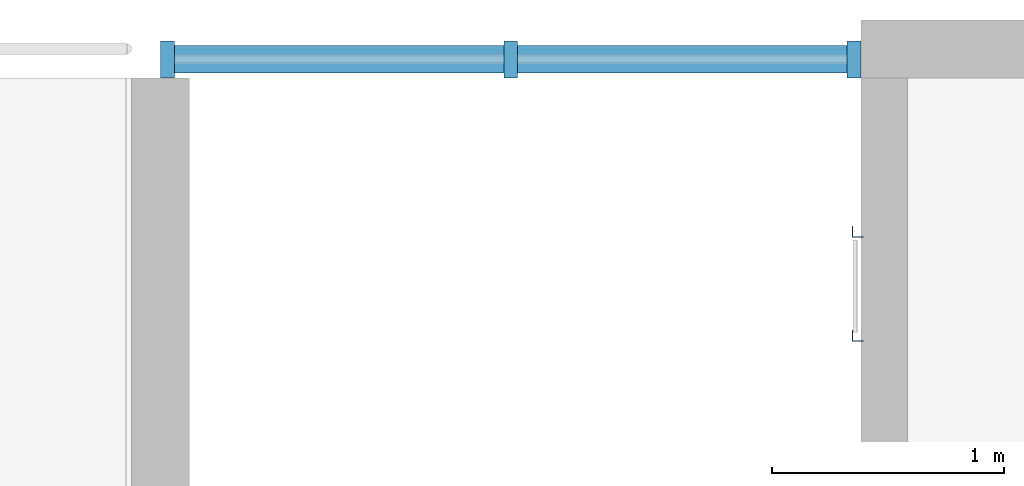
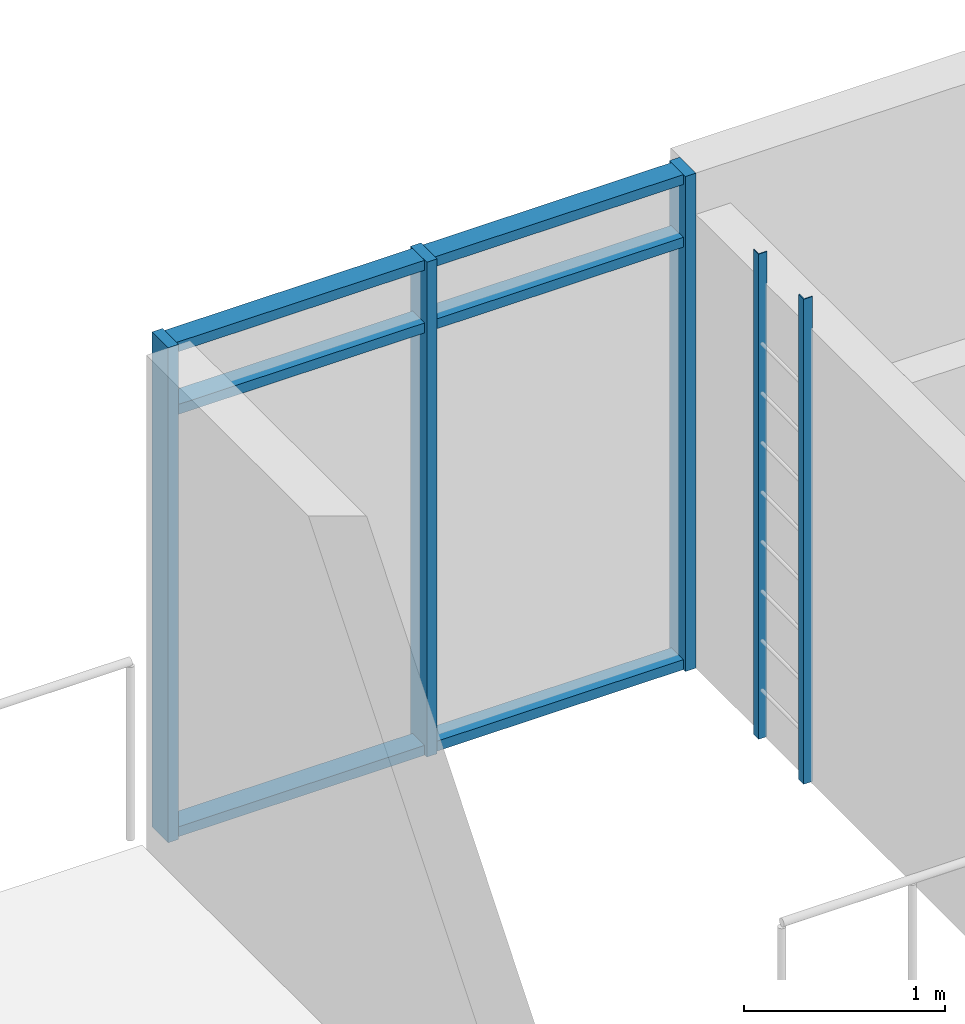
# One storey, part 18 of 55: 11 members, 1 element without a shape of its own.
"""IFC4 building model written with IfcOpenShell, lengths in metres."""

from ifc_helpers import new_model, si_unit, direction, frame, origin, origin_2d, place, context, subcontext, project, spatial, polyline, rectangle, outline, extrude, material, material_profile, profile_set, type_object, element, aggregate, save


model = new_model("IFC4")

# Units and contexts
model_context = context("Model", 3, precision=1e-05, world=origin(), true_north=direction((0.0, 1.0)))
body_context = subcontext(model_context, "Body", "Model", "MODEL_VIEW")
ifc_project = project(units=[si_unit("LENGTHUNIT", "METRE"), si_unit("AREAUNIT", "SQUARE_METRE"), si_unit("VOLUMEUNIT", "CUBIC_METRE"), si_unit("PLANEANGLEUNIT", "RADIAN"), si_unit("MASSUNIT", "GRAM", prefix="KILO")], contexts=[model_context])

# Site, building, storey
site_placement = place(None, origin())
site = spatial("IfcSite", under=ifc_project, at=site_placement, CompositionType="ELEMENT")
building_placement = place(site_placement, origin())
building = spatial("IfcBuilding", under=site, at=building_placement, Name="Ridgestep Commons", CompositionType="ELEMENT")
storey_placement = place(building_placement, frame((0.0, 0.0, 36.0)))
storey = spatial("IfcBuildingStorey", under=building, at=storey_placement, Name="L12", CompositionType="ELEMENT", Elevation=36.0)

# Members
ifc_material_1 = material(Name="Structural steel S355JR", Category="steel")
ifc_material_profile_1 = material_profile(ifc_material_1, outline(polyline([(-0.014404296875, -0.014404296875), (0.03564453125, -0.014404296875), (0.03564453125, -0.00927734375), (-0.00927734375, -0.00927734375), (-0.00927734375, 0.03564453125), (-0.014404296875, 0.03564453125), (-0.014404296875, -0.014404296875)])), Name="EA 50x50x5")
ifc_profile_set_1 = profile_set([ifc_material_profile_1], Name="Structural steel S355JR")
member_type_1 = type_object("IfcMemberType", Name="Core ladder stile EA 50x50x5", PredefinedType="STRINGER", material=ifc_profile_set_1)
for number, where, z_axis, x_axis, name in (
    (1, (227.800048828125, 75.875, 0.0), (0.0, 0.0, 1.0), (1.0, 0.0, 0.0), "Ladder stile C5C.1"),
    (2, (227.800048828125, 76.324951171875, 0.0), (0.0, 0.0, 1.0), (1.0, 0.0, 0.0), "Ladder stile C5C.2"),
):
    element("IfcMember", number, at=place(storey_placement, frame(where, z_axis=z_axis, x_axis=x_axis)), inside=storey, type_object=member_type_1, Name=name, PredefinedType="STRINGER", context=body_context, shape_type="SweptSolid", body=[
        extrude(outline(polyline([(-0.014404296875, -0.014404296875), (0.03564453125, -0.014404296875), (0.03564453125, -0.00927734375), (-0.00927734375, -0.00927734375), (-0.00927734375, 0.03564453125), (-0.014404296875, 0.03564453125), (-0.014404296875, -0.014404296875)])), origin(), (0.0, 0.0, 1.0), 2.93994140625),
    ])

# Curtain wall, members
ifc_material_2 = material(Name="Aluminium 6063-T6 and glass", Category="aluminium")
curtain_wall_type = type_object("IfcCurtainWallType", Name="Curtain wall stair strip", PredefinedType="NOTDEFINED", material=ifc_material_2)
curtain_wall_placement = place(storey_placement, origin())
curtain_wall = element("IfcCurtainWall", 3, at=curtain_wall_placement, inside=storey, type_object=curtain_wall_type, Name="Curtain wall C5C level 12", PredefinedType="NOTDEFINED")
ifc_material_3 = material(Name="Aluminium 6063-T6", Category="aluminium")
ifc_material_profile_2 = material_profile(ifc_material_3, rectangle(XDim=0.159912109375, YDim=0.06005859375, at=origin_2d()), Name="Mullion 60 x 160")
ifc_profile_set_2 = profile_set([ifc_material_profile_2], Name="Aluminium 6063-T6")
member_type_2 = type_object("IfcMemberType", Name="Mullion 60 x 160", PredefinedType="MULLION", material=ifc_profile_set_2)
member_1_placement = place(storey_placement, frame((224.830078125, 77.080078125, 0.0), z_axis=(0.0, 0.0, 1.0), x_axis=(0.0, 1.0, 0.0)))
member_1 = element("IfcMember", 4, at=member_1_placement, type_object=member_type_2, Name="CW1 mullion 1", PredefinedType="MULLION", context=body_context, shape_type="SweptSolid", body=[
    extrude(rectangle(XDim=0.159912109375, YDim=0.06005859375, at=origin_2d()), origin(), (0.0, 0.0, 1.0), 3.0),
])
member_2_placement = place(storey_placement, frame((226.3125, 77.080078125, 0.0), z_axis=(0.0, 0.0, 1.0), x_axis=(0.0, 1.0, 0.0)))
member_2 = element("IfcMember", 5, at=member_2_placement, type_object=member_type_2, Name="CW1 mullion 2", PredefinedType="MULLION", context=body_context, shape_type="SweptSolid", body=[
    extrude(rectangle(XDim=0.159912109375, YDim=0.06005859375, at=origin_2d()), origin(), (0.0, 0.0, 1.0), 3.0),
])
member_3_placement = place(storey_placement, frame((227.794921875, 77.080078125, 0.0), z_axis=(0.0, 0.0, 1.0), x_axis=(0.0, 1.0, 0.0)))
member_3 = element("IfcMember", 6, at=member_3_placement, type_object=member_type_2, Name="CW1 mullion 3", PredefinedType="MULLION", context=body_context, shape_type="SweptSolid", body=[
    extrude(rectangle(XDim=0.159912109375, YDim=0.06005859375, at=origin_2d()), origin(), (0.0, 0.0, 1.0), 3.0),
])
ifc_material_4 = material(Name="Aluminium 6063-T6", Category="aluminium")
ifc_material_profile_3 = material_profile(ifc_material_4, rectangle(XDim=0.1201171875, YDim=0.06005859375, at=origin_2d()), Name="Transom 60 x 120")
ifc_profile_set_3 = profile_set([ifc_material_profile_3], Name="Aluminium 6063-T6")
member_type_3 = type_object("IfcMemberType", Name="Transom 60 x 120", PredefinedType="USERDEFINED", material=ifc_profile_set_3)
member_4_placement = place(storey_placement, frame((224.860107421875, 77.080078125, 0.030029296875), z_axis=(1.0, 0.0, 0.0), x_axis=(0.0, 1.0, 0.0)))
member_4 = element("IfcMember", 7, at=member_4_placement, type_object=member_type_3, Name="CW1 transom 1.1", ObjectType="TRANSOM", PredefinedType="USERDEFINED", context=body_context, shape_type="SweptSolid", body=[
    extrude(rectangle(XDim=0.1201171875, YDim=0.06005859375, at=origin_2d()), origin(), (0.0, 0.0, 1.0), 1.42236328125),
])
member_5_placement = place(storey_placement, frame((224.860107421875, 77.080078125, 2.590087890625), z_axis=(1.0, 0.0, 0.0), x_axis=(0.0, 1.0, 0.0)))
member_5 = element("IfcMember", 8, at=member_5_placement, type_object=member_type_3, Name="CW1 transom 1.2", ObjectType="TRANSOM", PredefinedType="USERDEFINED", context=body_context, shape_type="SweptSolid", body=[
    extrude(rectangle(XDim=0.1201171875, YDim=0.06005859375, at=origin_2d()), origin(), (0.0, 0.0, 1.0), 1.42236328125),
])
member_6_placement = place(storey_placement, frame((224.860107421875, 77.080078125, 2.969970703125), z_axis=(1.0, 0.0, 0.0), x_axis=(0.0, 1.0, 0.0)))
member_6 = element("IfcMember", 9, at=member_6_placement, type_object=member_type_3, Name="CW1 transom 1.3", ObjectType="TRANSOM", PredefinedType="USERDEFINED", context=body_context, shape_type="SweptSolid", body=[
    extrude(rectangle(XDim=0.1201171875, YDim=0.06005859375, at=origin_2d()), origin(), (0.0, 0.0, 1.0), 1.42236328125),
])
member_7_placement = place(storey_placement, frame((226.342529296875, 77.080078125, 0.030029296875), z_axis=(1.0, 0.0, 0.0), x_axis=(0.0, 1.0, 0.0)))
member_7 = element("IfcMember", 10, at=member_7_placement, type_object=member_type_3, Name="CW1 transom 2.1", ObjectType="TRANSOM", PredefinedType="USERDEFINED", context=body_context, shape_type="SweptSolid", body=[
    extrude(rectangle(XDim=0.1201171875, YDim=0.06005859375, at=origin_2d()), origin(), (0.0, 0.0, 1.0), 1.42236328125),
])
member_8_placement = place(storey_placement, frame((226.342529296875, 77.080078125, 2.590087890625), z_axis=(1.0, 0.0, 0.0), x_axis=(0.0, 1.0, 0.0)))
member_8 = element("IfcMember", 11, at=member_8_placement, type_object=member_type_3, Name="CW1 transom 2.2", ObjectType="TRANSOM", PredefinedType="USERDEFINED", context=body_context, shape_type="SweptSolid", body=[
    extrude(rectangle(XDim=0.1201171875, YDim=0.06005859375, at=origin_2d()), origin(), (0.0, 0.0, 1.0), 1.42236328125),
])
member_9_placement = place(storey_placement, frame((226.342529296875, 77.080078125, 2.969970703125), z_axis=(1.0, 0.0, 0.0), x_axis=(0.0, 1.0, 0.0)))
member_9 = element("IfcMember", 12, at=member_9_placement, type_object=member_type_3, Name="CW1 transom 2.3", ObjectType="TRANSOM", PredefinedType="USERDEFINED", context=body_context, shape_type="SweptSolid", body=[
    extrude(rectangle(XDim=0.1201171875, YDim=0.06005859375, at=origin_2d()), origin(), (0.0, 0.0, 1.0), 1.42236328125),
])
aggregate(curtain_wall, [member_1, member_2, member_3, member_4, member_5, member_6, member_7, member_8, member_9])

save(model, "model.ifc")
